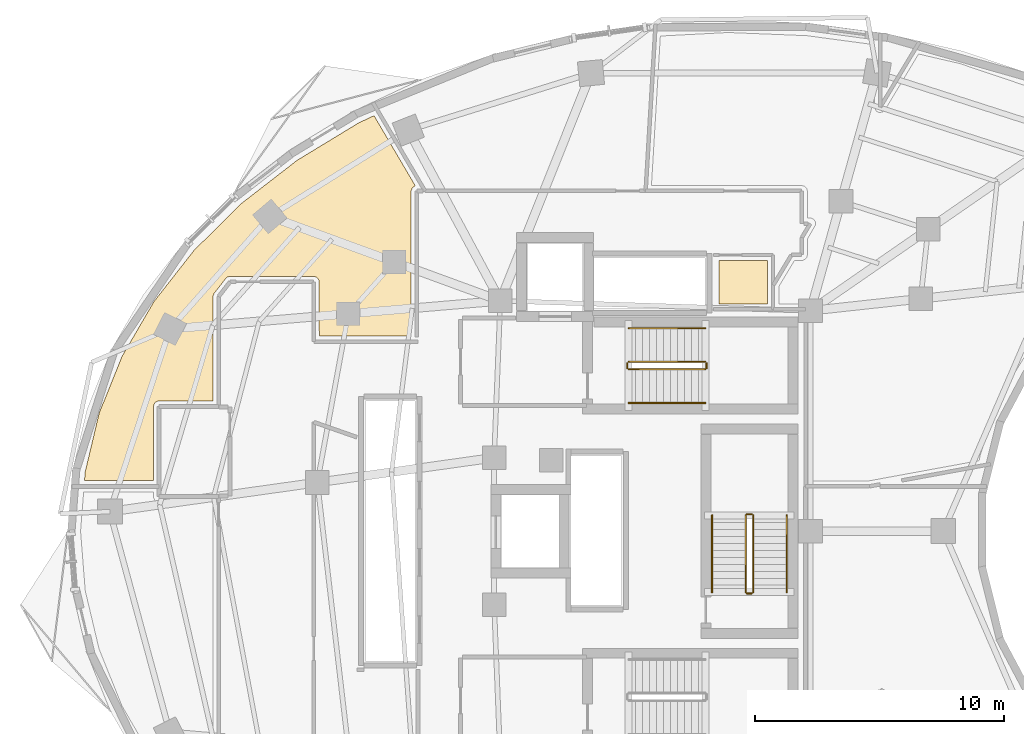
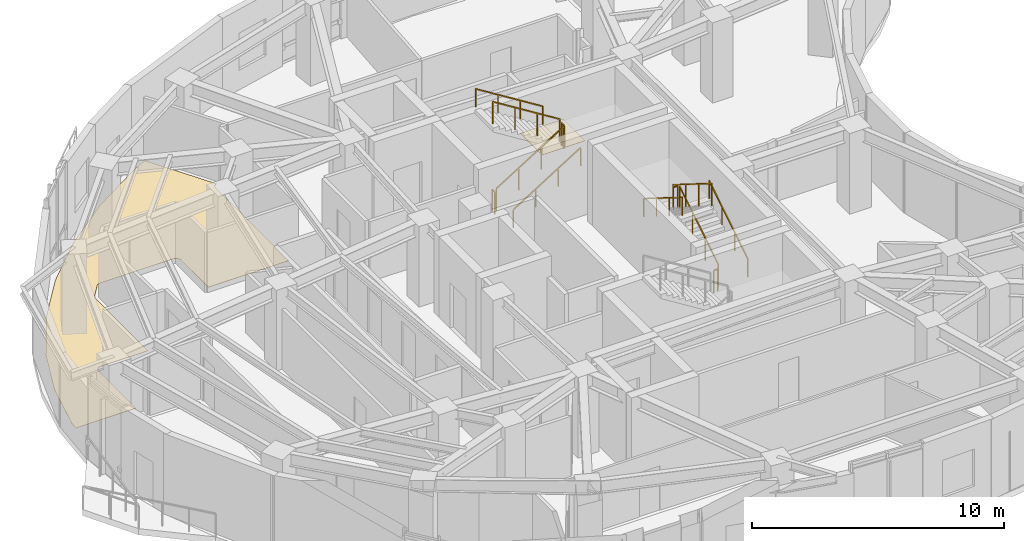
# One storey, part 12 of 13: 12 railings, 2 coverings.
"""IFC4 building model written with IfcOpenShell, lengths in metres."""

from ifc_helpers import new_model, si_unit, direction, frame, origin, origin_2d, place, context, subcontext, project, spatial, polyline, rectangle, outline, extrude, material, layer, layer_set, type_object, element, save


model = new_model("IFC4")

# Units and contexts
model_context = context("Model", 3, precision=1e-05, world=origin(), true_north=direction((0.0, 1.0)))
body_context = subcontext(model_context, "Body", "Model", "MODEL_VIEW")
ifc_project = project(units=[si_unit("LENGTHUNIT", "METRE"), si_unit("AREAUNIT", "SQUARE_METRE"), si_unit("VOLUMEUNIT", "CUBIC_METRE"), si_unit("PLANEANGLEUNIT", "RADIAN"), si_unit("MASSUNIT", "GRAM", prefix="KILO")], contexts=[model_context])

# Site, building, storey
site_placement = place(None, origin())
site = spatial("IfcSite", under=ifc_project, at=site_placement, CompositionType="ELEMENT")
building_placement = place(site_placement, origin())
building = spatial("IfcBuilding", under=site, at=building_placement, Name="Korentha Bioscience Tower", CompositionType="ELEMENT")
storey_placement = place(building_placement, frame((0.0, 0.0, 192.0)))
storey = spatial("IfcBuildingStorey", under=building, at=storey_placement, Name="L44", CompositionType="ELEMENT", Elevation=192.0)

# Covering
ifc_material_1 = material(Name="Vitrified Porcelain Tile", Category="ceramic")
ifc_layer_1 = layer(ifc_material_1, 0.014892578125, Name="Vitrified Porcelain Tile")
ifc_layer_set_1 = layer_set([ifc_layer_1], Name="Vitrified Porcelain Tile (FL-CER)")
covering_type_1 = type_object("IfcCoveringType", Name="Anti-Slip Ceramic Wet-Room Tile Flooring 15", PredefinedType="FLOORING", material=ifc_layer_set_1)
covering_1_placement = place(storey_placement, origin())
element("IfcCovering", 1, at=covering_1_placement, inside=storey, type_object=covering_type_1, Name="L44 Accessible Staff WC Floor Finish", PredefinedType="FLOORING", context=body_context, shape_type="SweptSolid", body=[
    extrude(outline(polyline([(33.8701171875, 36.1298828125), (33.8701171875, 37.8701171875), (35.830078125, 37.8701171875), (35.830078125, 36.1298828125), (33.8701171875, 36.1298828125)])), origin(), (0.0, 0.0, 1.0), 0.014892578125),
])

# Railings
ifc_material_2 = material(Name="Stainless Steel 304", Category="steel")
railing_type_1 = type_object("IfcRailingType", Name="Brushed Stainless Stair Handrail 900", PredefinedType="HANDRAIL", material=ifc_material_2)
railing_1_placement = place(storey_placement, frame((30.25, 32.14990234375, 0.175048828125)))
element("IfcRailing", 2, at=railing_1_placement, inside=storey, type_object=railing_type_1, Name="L44 ST-1 stair handrail 1", PredefinedType="HANDRAIL", context=body_context, shape_type="SweptSolid", body=[
    extrude(rectangle(XDim=0.048095703125, YDim=0.048095703125, at=origin_2d()), frame((0.0, 0.0, 0.8759765625), z_axis=(0.847998304005, 0.0, 0.529998940003), x_axis=(0.0, 1.0, 0.0)), (0.0, 0.0, 1.0), 3.632080078125),
    extrude(rectangle(XDim=0.0419921875, YDim=0.0419921875, at=origin_2d()), origin(), (0.0, 0.0, 1.0), 0.851806640625),
    extrude(rectangle(XDim=0.0419921875, YDim=0.0419921875, at=origin_2d()), frame((1.026611328125, 0.0, 0.6416015625)), (0.0, 0.0, 1.0), 0.851806640625),
    extrude(rectangle(XDim=0.0419921875, YDim=0.0419921875, at=origin_2d()), frame((2.053466796875, 0.0, 1.283447265625)), (0.0, 0.0, 1.0), 0.851806640625),
    extrude(rectangle(XDim=0.0419921875, YDim=0.0419921875, at=origin_2d()), frame((3.080078125, 0.0, 1.925048828125)), (0.0, 0.0, 1.0), 0.851806640625),
])
railing_2_placement = place(storey_placement, frame((33.330078125, 35.14990234375, 2.27490234375)))
element("IfcRailing", 3, at=railing_2_placement, inside=storey, type_object=railing_type_1, Name="L44 ST-1 stair handrail 2", PredefinedType="HANDRAIL", context=body_context, shape_type="SweptSolid", body=[
    extrude(rectangle(XDim=0.048095703125, YDim=0.048095703125, at=origin_2d()), frame((0.0, 0.0, 0.8759765625), z_axis=(-0.847998304005, 0.0, 0.529998940003), x_axis=(0.0, -1.0, 0.0)), (0.0, 0.0, 1.0), 3.632080078125),
    extrude(rectangle(XDim=0.0419921875, YDim=0.0419921875, at=origin_2d()), origin(), (0.0, 0.0, 1.0), 0.851806640625),
    extrude(rectangle(XDim=0.0419921875, YDim=0.0419921875, at=origin_2d()), frame((-1.026611328125, 0.0, 0.6416015625)), (0.0, 0.0, 1.0), 0.851806640625),
    extrude(rectangle(XDim=0.0419921875, YDim=0.0419921875, at=origin_2d()), frame((-2.053466796875, 0.0, 1.283447265625)), (0.0, 0.0, 1.0), 0.851806640625),
    extrude(rectangle(XDim=0.0419921875, YDim=0.0419921875, at=origin_2d()), frame((-3.080078125, 0.0, 1.925048828125)), (0.0, 0.0, 1.0), 0.851806640625),
])
railing_3_placement = place(storey_placement, frame((36.60009765625, 24.550048828125, 0.175048828125)))
element("IfcRailing", 4, at=railing_3_placement, inside=storey, type_object=railing_type_1, Name="L44 ST-3 stair handrail 1", PredefinedType="HANDRAIL", context=body_context, shape_type="SweptSolid", body=[
    extrude(rectangle(XDim=0.048095703125, YDim=0.048095703125, at=origin_2d()), frame((0.0, 0.0, 0.8759765625), z_axis=(0.0, 0.847979421464, 0.530029150871), x_axis=(-1.0, 0.0, 0.0)), (0.0, 0.0, 1.0), 3.632080078125),
    extrude(rectangle(XDim=0.0419921875, YDim=0.0419921875, at=origin_2d()), origin(), (0.0, 0.0, 1.0), 0.851806640625),
    extrude(rectangle(XDim=0.0419921875, YDim=0.0419921875, at=origin_2d()), frame((0.0, 1.026611328125, 0.6416015625)), (0.0, 0.0, 1.0), 0.851806640625),
    extrude(rectangle(XDim=0.0419921875, YDim=0.0419921875, at=origin_2d()), frame((0.0, 2.05322265625, 1.283447265625)), (0.0, 0.0, 1.0), 0.851806640625),
    extrude(rectangle(XDim=0.0419921875, YDim=0.0419921875, at=origin_2d()), frame((0.0, 3.079833984375, 1.925048828125)), (0.0, 0.0, 1.0), 0.851806640625),
])
railing_4_placement = place(storey_placement, frame((33.60009765625, 27.6298828125, 2.27490234375)))
element("IfcRailing", 5, at=railing_4_placement, inside=storey, type_object=railing_type_1, Name="L44 ST-3 stair handrail 2", PredefinedType="HANDRAIL", context=body_context, shape_type="SweptSolid", body=[
    extrude(rectangle(XDim=0.048095703125, YDim=0.048095703125, at=origin_2d()), frame((0.0, 0.0, 0.8759765625), z_axis=(0.0, -0.847979421464, 0.530029150871), x_axis=(1.0, 0.0, 0.0)), (0.0, 0.0, 1.0), 3.632080078125),
    extrude(rectangle(XDim=0.0419921875, YDim=0.0419921875, at=origin_2d()), origin(), (0.0, 0.0, 1.0), 0.851806640625),
    extrude(rectangle(XDim=0.0419921875, YDim=0.0419921875, at=origin_2d()), frame((0.0, -1.026611328125, 0.6416015625)), (0.0, 0.0, 1.0), 0.851806640625),
    extrude(rectangle(XDim=0.0419921875, YDim=0.0419921875, at=origin_2d()), frame((0.0, -2.05322265625, 1.283447265625)), (0.0, 0.0, 1.0), 0.851806640625),
    extrude(rectangle(XDim=0.0419921875, YDim=0.0419921875, at=origin_2d()), frame((0.0, -3.079833984375, 1.925048828125)), (0.0, 0.0, 1.0), 0.851806640625),
])
ifc_material_3 = material(Name="Painted Steel S275", Category="steel")
railing_type_2 = type_object("IfcRailingType", Name="Painted Steel Stair Well Guardrail 1100", PredefinedType="GUARDRAIL", material=ifc_material_3)
railing_5_placement = place(storey_placement, frame((30.25, 33.5, 0.175048828125)))
element("IfcRailing", 6, at=railing_5_placement, inside=storey, type_object=railing_type_2, Name="L44 ST-1 stair guard 1", PredefinedType="GUARDRAIL", context=body_context, shape_type="SweptSolid", body=[
    extrude(rectangle(XDim=0.048095703125, YDim=0.048095703125, at=origin_2d()), frame((0.0, 0.0, 1.076171875), z_axis=(0.847998304005, 0.0, 0.529998940003), x_axis=(0.0, 1.0, 0.0)), (0.0, 0.0, 1.0), 3.632080078125),
    extrude(rectangle(XDim=0.0419921875, YDim=0.0419921875, at=origin_2d()), origin(), (0.0, 0.0, 1.0), 1.052001953125),
    extrude(rectangle(XDim=0.0419921875, YDim=0.0419921875, at=origin_2d()), frame((1.026611328125, 0.0, 0.6416015625)), (0.0, 0.0, 1.0), 1.052001953125),
    extrude(rectangle(XDim=0.0419921875, YDim=0.0419921875, at=origin_2d()), frame((2.053466796875, 0.0, 1.283447265625)), (0.0, 0.0, 1.0), 1.052001953125),
    extrude(rectangle(XDim=0.0419921875, YDim=0.0419921875, at=origin_2d()), frame((3.080078125, 0.0, 1.925048828125)), (0.0, 0.0, 1.0), 1.052001953125),
])
railing_6_placement = place(storey_placement, frame((33.3798828125, 33.550048828125, 2.10009765625)))
element("IfcRailing", 7, at=railing_6_placement, inside=storey, type_object=railing_type_2, Name="L44 ST-1 stair guard 2", PredefinedType="GUARDRAIL", context=body_context, shape_type="SweptSolid", body=[
    extrude(rectangle(XDim=0.048095703125, YDim=0.048095703125, at=origin_2d()), frame((0.0, 0.0, 1.076171875), z_axis=(0.0, 1.0, 0.0), x_axis=(-1.0, 0.0, 0.0)), (0.0, 0.0, 1.0), 0.199951171875),
    extrude(rectangle(XDim=0.0419921875, YDim=0.0419921875, at=origin_2d()), origin(), (0.0, 0.0, 1.0), 1.052001953125),
    extrude(rectangle(XDim=0.0419921875, YDim=0.0419921875, at=origin_2d()), frame((0.0, 0.199951171875, 0.0)), (0.0, 0.0, 1.0), 1.052001953125),
])
railing_7_placement = place(storey_placement, frame((33.330078125, 33.800048828125, 2.27490234375)))
element("IfcRailing", 8, at=railing_7_placement, inside=storey, type_object=railing_type_2, Name="L44 ST-1 stair guard 3", PredefinedType="GUARDRAIL", context=body_context, shape_type="SweptSolid", body=[
    extrude(rectangle(XDim=0.048095703125, YDim=0.048095703125, at=origin_2d()), frame((0.0, 0.0, 1.076171875), z_axis=(-0.847998304005, 0.0, 0.529998940003), x_axis=(0.0, -1.0, 0.0)), (0.0, 0.0, 1.0), 3.632080078125),
    extrude(rectangle(XDim=0.0419921875, YDim=0.0419921875, at=origin_2d()), origin(), (0.0, 0.0, 1.0), 1.052001953125),
    extrude(rectangle(XDim=0.0419921875, YDim=0.0419921875, at=origin_2d()), frame((-1.026611328125, 0.0, 0.6416015625)), (0.0, 0.0, 1.0), 1.052001953125),
    extrude(rectangle(XDim=0.0419921875, YDim=0.0419921875, at=origin_2d()), frame((-2.053466796875, 0.0, 1.283447265625)), (0.0, 0.0, 1.0), 1.052001953125),
    extrude(rectangle(XDim=0.0419921875, YDim=0.0419921875, at=origin_2d()), frame((-3.080078125, 0.0, 1.925048828125)), (0.0, 0.0, 1.0), 1.052001953125),
])
railing_8_placement = place(storey_placement, frame((30.199951171875, 33.550048828125, 0.0)))
element("IfcRailing", 9, at=railing_8_placement, inside=storey, type_object=railing_type_2, Name="L44 ST-1 stair guard 4", PredefinedType="GUARDRAIL", context=body_context, shape_type="SweptSolid", body=[
    extrude(rectangle(XDim=0.048095703125, YDim=0.048095703125, at=origin_2d()), frame((0.0, 0.0, 1.076171875), z_axis=(0.0, 1.0, 0.0), x_axis=(-1.0, 0.0, 0.0)), (0.0, 0.0, 1.0), 0.199951171875),
    extrude(rectangle(XDim=0.0419921875, YDim=0.0419921875, at=origin_2d()), origin(), (0.0, 0.0, 1.0), 1.052001953125),
    extrude(rectangle(XDim=0.0419921875, YDim=0.0419921875, at=origin_2d()), frame((0.0, 0.199951171875, 0.0)), (0.0, 0.0, 1.0), 1.052001953125),
])
railing_9_placement = place(storey_placement, frame((35.25, 24.550048828125, 0.175048828125)))
element("IfcRailing", 10, at=railing_9_placement, inside=storey, type_object=railing_type_2, Name="L44 ST-3 stair guard 1", PredefinedType="GUARDRAIL", context=body_context, shape_type="SweptSolid", body=[
    extrude(rectangle(XDim=0.048095703125, YDim=0.048095703125, at=origin_2d()), frame((0.0, 0.0, 1.076171875), z_axis=(0.0, 0.847979421464, 0.530029150871), x_axis=(-1.0, 0.0, 0.0)), (0.0, 0.0, 1.0), 3.632080078125),
    extrude(rectangle(XDim=0.0419921875, YDim=0.0419921875, at=origin_2d()), origin(), (0.0, 0.0, 1.0), 1.052001953125),
    extrude(rectangle(XDim=0.0419921875, YDim=0.0419921875, at=origin_2d()), frame((0.0, 1.026611328125, 0.6416015625)), (0.0, 0.0, 1.0), 1.052001953125),
    extrude(rectangle(XDim=0.0419921875, YDim=0.0419921875, at=origin_2d()), frame((0.0, 2.05322265625, 1.283447265625)), (0.0, 0.0, 1.0), 1.052001953125),
    extrude(rectangle(XDim=0.0419921875, YDim=0.0419921875, at=origin_2d()), frame((0.0, 3.079833984375, 1.925048828125)), (0.0, 0.0, 1.0), 1.052001953125),
])
railing_10_placement = place(storey_placement, frame((35.199951171875, 27.679931640625, 2.10009765625)))
element("IfcRailing", 11, at=railing_10_placement, inside=storey, type_object=railing_type_2, Name="L44 ST-3 stair guard 2", PredefinedType="GUARDRAIL", context=body_context, shape_type="SweptSolid", body=[
    extrude(rectangle(XDim=0.048095703125, YDim=0.048095703125, at=origin_2d()), frame((0.0, 0.0, 1.076171875), z_axis=(-1.0, 0.0, 0.0), x_axis=(0.0, -1.0, 0.0)), (0.0, 0.0, 1.0), 0.199951171875),
    extrude(rectangle(XDim=0.0419921875, YDim=0.0419921875, at=origin_2d()), origin(), (0.0, 0.0, 1.0), 1.052001953125),
    extrude(rectangle(XDim=0.0419921875, YDim=0.0419921875, at=origin_2d()), frame((-0.199951171875, 0.0, 0.0)), (0.0, 0.0, 1.0), 1.052001953125),
])
railing_11_placement = place(storey_placement, frame((34.949951171875, 27.6298828125, 2.27490234375)))
element("IfcRailing", 12, at=railing_11_placement, inside=storey, type_object=railing_type_2, Name="L44 ST-3 stair guard 3", PredefinedType="GUARDRAIL", context=body_context, shape_type="SweptSolid", body=[
    extrude(rectangle(XDim=0.048095703125, YDim=0.048095703125, at=origin_2d()), frame((0.0, 0.0, 1.076171875), z_axis=(0.0, -0.847979421464, 0.530029150871), x_axis=(1.0, 0.0, 0.0)), (0.0, 0.0, 1.0), 3.632080078125),
    extrude(rectangle(XDim=0.0419921875, YDim=0.0419921875, at=origin_2d()), origin(), (0.0, 0.0, 1.0), 1.052001953125),
    extrude(rectangle(XDim=0.0419921875, YDim=0.0419921875, at=origin_2d()), frame((0.0, -1.026611328125, 0.6416015625)), (0.0, 0.0, 1.0), 1.052001953125),
    extrude(rectangle(XDim=0.0419921875, YDim=0.0419921875, at=origin_2d()), frame((0.0, -2.05322265625, 1.283447265625)), (0.0, 0.0, 1.0), 1.052001953125),
    extrude(rectangle(XDim=0.0419921875, YDim=0.0419921875, at=origin_2d()), frame((0.0, -3.079833984375, 1.925048828125)), (0.0, 0.0, 1.0), 1.052001953125),
])
railing_12_placement = place(storey_placement, frame((35.199951171875, 24.5, 0.0)))
element("IfcRailing", 13, at=railing_12_placement, inside=storey, type_object=railing_type_2, Name="L44 ST-3 stair guard 4", PredefinedType="GUARDRAIL", context=body_context, shape_type="SweptSolid", body=[
    extrude(rectangle(XDim=0.048095703125, YDim=0.048095703125, at=origin_2d()), frame((0.0, 0.0, 1.076171875), z_axis=(-1.0, 0.0, 0.0), x_axis=(0.0, -1.0, 0.0)), (0.0, 0.0, 1.0), 0.199951171875),
    extrude(rectangle(XDim=0.0419921875, YDim=0.0419921875, at=origin_2d()), origin(), (0.0, 0.0, 1.0), 1.052001953125),
    extrude(rectangle(XDim=0.0419921875, YDim=0.0419921875, at=origin_2d()), frame((-0.199951171875, 0.0, 0.0)), (0.0, 0.0, 1.0), 1.052001953125),
])

# Covering
ifc_material_4 = material(Name="Chemical-Resistant Epoxy Resin", Category="polymer")
ifc_layer_2 = layer(ifc_material_4, 0.011962890625, Name="Chemical-Resistant Epoxy Resin")
ifc_layer_set_2 = layer_set([ifc_layer_2], Name="Chemical-Resistant Epoxy Resin (FL-EPX)")
covering_type_2 = type_object("IfcCoveringType", Name="Seamless Epoxy Laboratory Flooring 12", PredefinedType="FLOORING", material=ifc_layer_set_2)
covering_2_placement = place(storey_placement, origin())
element("IfcCovering", 14, at=covering_2_placement, inside=storey, type_object=covering_type_2, Name="L44 Fluorescence Confocal Microscopy Room 09 Floor Finish", PredefinedType="FLOORING", context=body_context, shape_type="SweptSolid", body=[
    extrude(outline(polyline([(8.991943359375, 31.734619140625), (9.913818359375, 34.0205078125), (11.189208984375, 36.21142578125), (12.80078125, 38.27294921875), (14.72705078125, 40.175537109375), (16.940673828125, 41.890380859375), (19.41064453125, 43.3916015625), (20.029296875, 43.681884765625), (21.685302734375, 40.87060546875), (21.565673828125, 40.787353515625), (21.520263671875, 40.660888671875), (21.52001953125, 34.830078125), (17.830078125, 34.830078125), (17.82958984375, 37.0107421875), (17.797607421875, 37.117919921875), (17.71875, 37.197021484375), (17.60009765625, 37.22998046875), (14.198486328125, 37.222900390625), (14.1337890625, 37.1953125), (14.07421875, 37.1416015625), (13.612548828125, 36.55078125), (13.572265625, 36.449462890625), (13.570068359375, 32.22998046875), (11.38916015625, 32.229736328125), (11.30126953125, 32.207763671875), (11.215576171875, 32.137451171875), (11.169921875, 32.0), (11.169921875, 29.028076171875), (8.40625, 29.028076171875), (8.43408203125, 29.38330078125), (8.991943359375, 31.734619140625)])), origin(), (0.0, 0.0, 1.0), 0.011962890625),
])

save(model, "model.ifc")
